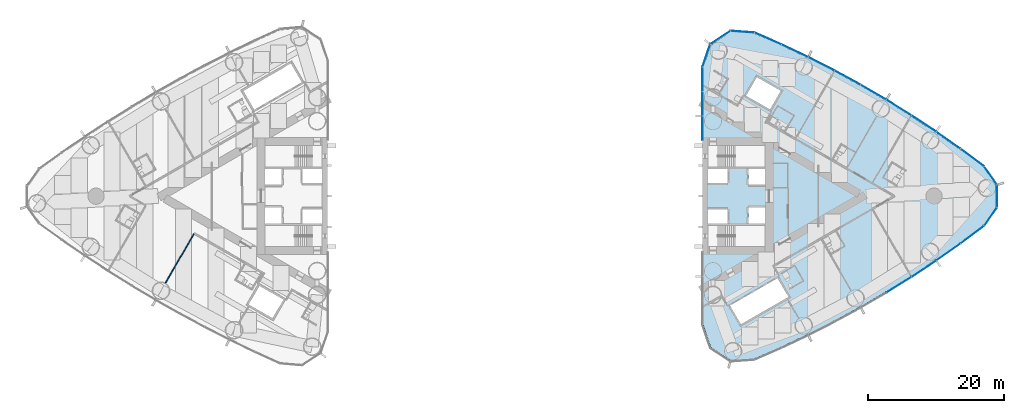
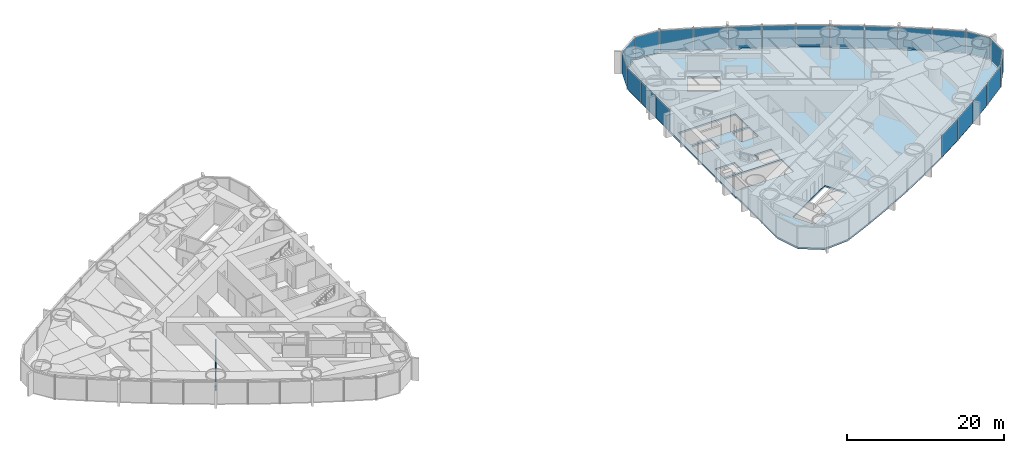
# One storey, part 10 of 19: 22 plates, 1 slab, 1 wall, 1 element without a shape of its own.
"""IFC4 building model written with IfcOpenShell, lengths in metres."""

from ifc_helpers import new_model, si_unit, direction, frame, frame_2d, origin, origin_2d, place, context, subcontext, project, spatial, polyline, rectangle, outline, extrude, material, layer, layer_set, type_object, element, aggregate, save


model = new_model("IFC4")

# Units and contexts
model_context = context("Model", 3, precision=1e-05, world=origin(), true_north=direction((0.0, 1.0)))
body_context = subcontext(model_context, "Body", "Model", "MODEL_VIEW")
ifc_project = project(units=[si_unit("LENGTHUNIT", "METRE"), si_unit("AREAUNIT", "SQUARE_METRE"), si_unit("VOLUMEUNIT", "CUBIC_METRE"), si_unit("PLANEANGLEUNIT", "RADIAN"), si_unit("MASSUNIT", "GRAM", prefix="KILO")], contexts=[model_context])

# Site, building, storey
site_placement = place(None, origin())
site = spatial("IfcSite", under=ifc_project, at=site_placement, CompositionType="ELEMENT")
building_placement = place(site_placement, origin())
building = spatial("IfcBuilding", under=site, at=building_placement, Name="Lancet Gate Hotel", CompositionType="ELEMENT")
storey_placement = place(building_placement, frame((0.0, 0.0, 132.60009765625)))
storey = spatial("IfcBuildingStorey", under=building, at=storey_placement, Name="L35", CompositionType="ELEMENT", Elevation=132.60009765625)

# Slab
ifc_material_1 = material(Name="Concrete C50/60", Category="concrete")
ifc_layer_1 = layer(ifc_material_1, 0.25)
ifc_layer_set_1 = layer_set([ifc_layer_1], Name="Floor slab 250")
slab_type = type_object("IfcSlabType", Name="Floor slab 250", PredefinedType="FLOOR", material=ifc_layer_set_1)
slab_placement = place(storey_placement, frame((0.0, 0.0, -0.25)))
element("IfcSlab", 1, at=slab_placement, inside=storey, type_object=slab_type, Name="T2 L35 floor slab", PredefinedType="FLOOR", context=body_context, shape_type="SweptSolid", body=[
    extrude(outline(polyline([(27.5, -8.60009765625), (27.6201171875, -8.60009765625), (27.6201171875, -18.923095703125), (28.7451171875, -22.22412109375), (31.63427734375, -24.1396484375), (35.112060546875, -23.890869140625), (39.0712890625, -22.150634765625), (42.996826171875, -20.29052734375), (46.867919921875, -18.31982421875), (50.681640625, -16.23974609375), (54.4345703125, -14.052490234375), (58.123779296875, -11.75927734375), (61.74658203125, -9.362548828125), (65.2998046875, -6.863525390625), (68.7666015625, -4.275390625), (70.627197265625, -1.6142578125), (70.627197265625, 1.6142578125), (68.7666015625, 4.275390625), (65.2998046875, 6.863525390625), (61.74658203125, 9.362548828125), (58.123779296875, 11.75927734375), (54.4345703125, 14.052490234375), (50.681640625, 16.23974609375), (46.867919921875, 18.31982421875), (42.996826171875, 20.29052734375), (39.0712890625, 22.150634765625), (35.112060546875, 23.890869140625), (31.63427734375, 24.1396484375), (28.7451171875, 22.22412109375), (27.6201171875, 18.923095703125), (27.6201171875, 8.60009765625), (27.5, 8.60009765625), (27.5, 8.199951171875), (27.5, -8.199951171875), (27.5, -8.60009765625)]), holes=[polyline([(36.699951171875, -7.39990234375), (36.699951171875, -4.300048828125), (28.300048828125, -4.300048828125), (28.300048828125, -7.39990234375), (36.699951171875, -7.39990234375)]), polyline([(28.300048828125, -4.0), (31.199951171875, -4.0), (31.199951171875, -1.89990234375), (28.300048828125, -1.89990234375), (28.300048828125, -4.0)]), polyline([(34.25, -4.0), (36.699951171875, -4.0), (36.699951171875, -1.64990234375), (34.25, -1.64990234375), (34.25, -4.0)]), polyline([(36.699951171875, 1.64990234375), (36.699951171875, 4.0), (34.25, 4.0), (34.25, 1.64990234375), (36.699951171875, 1.64990234375)]), polyline([(28.300048828125, 1.89990234375), (31.199951171875, 1.89990234375), (31.199951171875, 4.0), (28.300048828125, 4.0), (28.300048828125, 1.89990234375)]), polyline([(28.300048828125, 4.300048828125), (36.699951171875, 4.300048828125), (36.699951171875, 7.39990234375), (28.300048828125, 7.39990234375), (28.300048828125, 4.300048828125)]), polyline([(31.549072265625, -16.0810546875), (33.14892578125, -18.85205078125), (40.1640625, -14.802001953125), (38.56396484375, -12.031005859375), (31.549072265625, -16.0810546875)]), polyline([(33.887939453125, 14.73095703125), (37.43798828125, 12.680908203125), (39.0380859375, 15.451904296875), (35.488037109375, 17.501953125), (33.887939453125, 14.73095703125)])]), origin(), (0.0, 0.0, 1.0), 0.25),
])

# Curtain wall, plates
ifc_material_2 = material(Name="Aluminium curtain wall", Category="aluminium")
curtain_wall_type = type_object("IfcCurtainWallType", Name="Tower unitised curtain wall", PredefinedType="USERDEFINED", material=ifc_material_2)
curtain_wall_placement = place(storey_placement, origin())
curtain_wall = element("IfcCurtainWall", 2, at=curtain_wall_placement, inside=storey, type_object=curtain_wall_type, Name="T2 L35 curtain wall 1", ObjectType="UNITISED CURTAIN WALL", PredefinedType="USERDEFINED")
ifc_material_3 = material(Name="Glass double glazed unit 8-16-6", Category="glass")
ifc_layer_2 = layer(ifc_material_3, 0.030029296875)
ifc_layer_set_2 = layer_set([ifc_layer_2], Name="Vision panel double glazed")
plate_type = type_object("IfcPlateType", Name="Vision panel double glazed", PredefinedType="CURTAIN_PANEL", material=ifc_layer_set_2)
plate_1_placement = place(storey_placement, frame((56.342529296875, -13.0078125, -0.000244140625), z_axis=(0.0, 0.0, 1.0), x_axis=(0.849317759497, 0.527881940781, 0.0)))
plate_1 = element("IfcPlate", 3, at=plate_1_placement, type_object=plate_type, Name="T2 L35 curtain wall 1 panel 12", PredefinedType="CURTAIN_PANEL", context=body_context, shape_type="SweptSolid", body=[
    extrude(rectangle(XDim=4.2822265625, YDim=0.030029296875, at=origin_2d()), origin(), (0.0, 0.0, 1.0), 3.35009765625),
])
plate_2_placement = place(storey_placement, frame((60.00146484375, -10.660888671875, -0.000244140625), z_axis=(0.0, 0.0, 1.0), x_axis=(0.83398495346, 0.551787184885, 0.0)))
plate_2 = element("IfcPlate", 4, at=plate_2_placement, type_object=plate_type, Name="T2 L35 curtain wall 1 panel 13", PredefinedType="CURTAIN_PANEL", context=body_context, shape_type="SweptSolid", body=[
    extrude(rectangle(XDim=4.2822265625, YDim=0.030029296875, at=origin_2d()), origin(), (0.0, 0.0, 1.0), 3.35009765625),
])
plate_3_placement = place(storey_placement, frame((63.59228515625, -8.211181640625, -0.000244140625), z_axis=(0.0, 0.0, 1.0), x_axis=(0.817979492167, 0.57524738191, 0.0)))
plate_3 = element("IfcPlate", 5, at=plate_3_placement, type_object=plate_type, Name="T2 L35 curtain wall 1 panel 14", PredefinedType="CURTAIN_PANEL", context=body_context, shape_type="SweptSolid", body=[
    extrude(rectangle(XDim=4.2822265625, YDim=0.030029296875, at=origin_2d()), origin(), (0.0, 0.0, 1.0), 3.35009765625),
])
plate_4_placement = place(storey_placement, frame((67.112060546875, -5.660400390625, -0.000244140625), z_axis=(0.0, 0.0, 1.0), x_axis=(0.801314284905, 0.598243609917, 0.0)))
plate_4 = element("IfcPlate", 6, at=plate_4_placement, type_object=plate_type, Name="T2 L35 curtain wall 1 panel 15", PredefinedType="CURTAIN_PANEL", context=body_context, shape_type="SweptSolid", body=[
    extrude(rectangle(XDim=4.2822265625, YDim=0.030029296875, at=origin_2d()), origin(), (0.0, 0.0, 1.0), 3.35009765625),
])
plate_5_placement = place(storey_placement, frame((69.800537109375, -3.006103515625, -0.000244140625), z_axis=(0.0, 0.0, 1.0), x_axis=(0.573025075425, 0.819537834962, 0.0)))
plate_5 = element("IfcPlate", 7, at=plate_5_placement, type_object=plate_type, Name="T2 L35 curtain wall 1 panel 16", PredefinedType="CURTAIN_PANEL", context=body_context, shape_type="SweptSolid", body=[
    extrude(rectangle(XDim=3.2392578125, YDim=0.030029296875, at=origin_2d()), origin(), (0.0, 0.0, 1.0), 3.35009765625),
])
plate_6_placement = place(storey_placement, frame((70.747314453125, 0.0, -0.000244140625), z_axis=(0.0, 0.0, 1.0), x_axis=(0.0, 1.0, 0.0)))
plate_6 = element("IfcPlate", 8, at=plate_6_placement, type_object=plate_type, Name="T2 L35 curtain wall 1 panel 17", PredefinedType="CURTAIN_PANEL", context=body_context, shape_type="SweptSolid", body=[
    extrude(rectangle(XDim=3.2392578125, YDim=0.030029296875, at=origin_2d()), origin(), (0.0, 0.0, 1.0), 3.35009765625),
])
plate_7_placement = place(storey_placement, frame((69.800537109375, 3.006103515625, -0.000244140625), z_axis=(0.0, 0.0, 1.0), x_axis=(-0.573025075425, 0.819537834962, 0.0)))
plate_7 = element("IfcPlate", 9, at=plate_7_placement, type_object=plate_type, Name="T2 L35 curtain wall 1 panel 18", PredefinedType="CURTAIN_PANEL", context=body_context, shape_type="SweptSolid", body=[
    extrude(rectangle(XDim=3.2392578125, YDim=0.030029296875, at=origin_2d()), origin(), (0.0, 0.0, 1.0), 3.35009765625),
])
plate_8_placement = place(storey_placement, frame((67.112060546875, 5.660400390625, -0.000244140625), z_axis=(0.0, 0.0, 1.0), x_axis=(-0.801314284905, 0.598243609917, 0.0)))
plate_8 = element("IfcPlate", 10, at=plate_8_placement, type_object=plate_type, Name="T2 L35 curtain wall 1 panel 19", PredefinedType="CURTAIN_PANEL", context=body_context, shape_type="SweptSolid", body=[
    extrude(rectangle(XDim=4.2822265625, YDim=0.030029296875, at=origin_2d()), origin(), (0.0, 0.0, 1.0), 3.35009765625),
])
plate_9_placement = place(storey_placement, frame((63.59228515625, 8.211181640625, -0.000244140625), z_axis=(0.0, 0.0, 1.0), x_axis=(-0.817979492167, 0.57524738191, 0.0)))
plate_9 = element("IfcPlate", 11, at=plate_9_placement, type_object=plate_type, Name="T2 L35 curtain wall 1 panel 20", PredefinedType="CURTAIN_PANEL", context=body_context, shape_type="SweptSolid", body=[
    extrude(rectangle(XDim=4.2822265625, YDim=0.030029296875, at=origin_2d()), origin(), (0.0, 0.0, 1.0), 3.35009765625),
])
plate_10_placement = place(storey_placement, frame((60.00146484375, 10.660888671875, -0.000244140625), z_axis=(0.0, 0.0, 1.0), x_axis=(-0.83398495346, 0.551787184885, 0.0)))
plate_10 = element("IfcPlate", 12, at=plate_10_placement, type_object=plate_type, Name="T2 L35 curtain wall 1 panel 21", PredefinedType="CURTAIN_PANEL", context=body_context, shape_type="SweptSolid", body=[
    extrude(rectangle(XDim=4.2822265625, YDim=0.030029296875, at=origin_2d()), origin(), (0.0, 0.0, 1.0), 3.35009765625),
])
plate_11_placement = place(storey_placement, frame((56.342529296875, 13.0078125, -0.000244140625), z_axis=(0.0, 0.0, 1.0), x_axis=(-0.849317759497, 0.527881940781, 0.0)))
plate_11 = element("IfcPlate", 13, at=plate_11_placement, type_object=plate_type, Name="T2 L35 curtain wall 1 panel 22", PredefinedType="CURTAIN_PANEL", context=body_context, shape_type="SweptSolid", body=[
    extrude(rectangle(XDim=4.2822265625, YDim=0.030029296875, at=origin_2d()), origin(), (0.0, 0.0, 1.0), 3.35009765625),
])
plate_12_placement = place(storey_placement, frame((52.618408203125, 15.249755859375, -0.000244140625), z_axis=(0.0, 0.0, 1.0), x_axis=(-0.863965543499, 0.503550930538, 0.0)))
plate_12 = element("IfcPlate", 14, at=plate_12_placement, type_object=plate_type, Name="T2 L35 curtain wall 1 panel 23", PredefinedType="CURTAIN_PANEL", context=body_context, shape_type="SweptSolid", body=[
    extrude(rectangle(XDim=4.2822265625, YDim=0.030029296875, at=origin_2d()), origin(), (0.0, 0.0, 1.0), 3.35009765625),
])
plate_13_placement = place(storey_placement, frame((48.832275390625, 17.38525390625, -0.000244140625), z_axis=(0.0, 0.0, 1.0), x_axis=(-0.877916491224, 0.478813778454, 0.0)))
plate_13 = element("IfcPlate", 15, at=plate_13_placement, type_object=plate_type, Name="T2 L35 curtain wall 1 panel 24", PredefinedType="CURTAIN_PANEL", context=body_context, shape_type="SweptSolid", body=[
    extrude(rectangle(XDim=4.2822265625, YDim=0.030029296875, at=origin_2d()), origin(), (0.0, 0.0, 1.0), 3.35009765625),
])
plate_14_placement = place(storey_placement, frame((44.98681640625, 19.412109375, -0.000244140625), z_axis=(0.0, 0.0, 1.0), x_axis=(-0.891159350462, 0.453690436403, 0.0)))
plate_14 = element("IfcPlate", 16, at=plate_14_placement, type_object=plate_type, Name="T2 L35 curtain wall 1 panel 25", PredefinedType="CURTAIN_PANEL", context=body_context, shape_type="SweptSolid", body=[
    extrude(rectangle(XDim=4.2822265625, YDim=0.030029296875, at=origin_2d()), origin(), (0.0, 0.0, 1.0), 3.35009765625),
])
plate_15_placement = place(storey_placement, frame((41.08544921875, 21.3291015625, -0.000244140625), z_axis=(0.0, 0.0, 1.0), x_axis=(-0.903683440096, 0.428201167789, 0.0)))
plate_15 = element("IfcPlate", 17, at=plate_15_placement, type_object=plate_type, Name="T2 L35 curtain wall 1 panel 26", PredefinedType="CURTAIN_PANEL", context=body_context, shape_type="SweptSolid", body=[
    extrude(rectangle(XDim=4.2822265625, YDim=0.030029296875, at=origin_2d()), origin(), (0.0, 0.0, 1.0), 3.35009765625),
])
plate_16_placement = place(storey_placement, frame((37.13134765625, 23.13427734375, -0.000244140625), z_axis=(0.0, 0.0, 1.0), x_axis=(-0.915478658759, 0.40236653111, 0.0)))
plate_16 = element("IfcPlate", 18, at=plate_16_placement, type_object=plate_type, Name="T2 L35 curtain wall 1 panel 27", PredefinedType="CURTAIN_PANEL", context=body_context, shape_type="SweptSolid", body=[
    extrude(rectangle(XDim=4.2822265625, YDim=0.030029296875, at=origin_2d()), origin(), (0.0, 0.0, 1.0), 3.35009765625),
])
plate_17_placement = place(storey_placement, frame((33.37158203125, 24.1357421875, -0.000244140625), z_axis=(0.0, 0.0, 1.0), x_axis=(-0.997448492935, 0.07138980278, 0.0)))
plate_17 = element("IfcPlate", 19, at=plate_17_placement, type_object=plate_type, Name="T2 L35 curtain wall 1 panel 28", PredefinedType="CURTAIN_PANEL", context=body_context, shape_type="SweptSolid", body=[
    extrude(rectangle(XDim=3.4833984375, YDim=0.030029296875, at=origin_2d()), origin(), (0.0, 0.0, 1.0), 3.35009765625),
])
plate_18_placement = place(storey_placement, frame((30.123291015625, 23.281982421875, -0.000244140625), z_axis=(0.0, 0.0, 1.0), x_axis=(-0.833464516611, -0.552572981198, 0.0)))
plate_18 = element("IfcPlate", 20, at=plate_18_placement, type_object=plate_type, Name="T2 L35 curtain wall 1 panel 29", PredefinedType="CURTAIN_PANEL", context=body_context, shape_type="SweptSolid", body=[
    extrude(rectangle(XDim=3.4833984375, YDim=0.030029296875, at=origin_2d()), origin(), (0.0, 0.0, 1.0), 3.35009765625),
])
plate_19_placement = place(storey_placement, frame((28.072265625, 20.622314453125, -0.000244140625), z_axis=(0.0, 0.0, 1.0), x_axis=(-0.32257568891, -0.946543673015, 0.0)))
plate_19 = element("IfcPlate", 21, at=plate_19_placement, type_object=plate_type, Name="T2 L35 curtain wall 1 panel 30", PredefinedType="CURTAIN_PANEL", context=body_context, shape_type="SweptSolid", body=[
    extrude(rectangle(XDim=3.4833984375, YDim=0.030029296875, at=origin_2d()), origin(), (0.0, 0.0, 1.0), 3.35009765625),
])
plate_20_placement = place(storey_placement, frame((27.5, 17.15234375, -0.000244140625), z_axis=(0.0, 0.0, 1.0), x_axis=(0.0, -1.0, 0.0)))
plate_20 = element("IfcPlate", 22, at=plate_20_placement, type_object=plate_type, Name="T2 L35 curtain wall 1 panel 31", PredefinedType="CURTAIN_PANEL", context=body_context, shape_type="SweptSolid", body=[
    extrude(rectangle(XDim=3.515869140625, YDim=0.030029296875, at=origin_2d()), origin(), (0.0, 0.0, 1.0), 3.35009765625),
])
plate_21_placement = place(storey_placement, frame((27.5, 13.571533203125, -0.000244140625), z_axis=(0.0, 0.0, 1.0), x_axis=(0.0, -1.0, 0.0)))
plate_21 = element("IfcPlate", 23, at=plate_21_placement, type_object=plate_type, Name="T2 L35 curtain wall 1 panel 32", PredefinedType="CURTAIN_PANEL", context=body_context, shape_type="SweptSolid", body=[
    extrude(rectangle(XDim=3.515869140625, YDim=0.030029296875, at=origin_2d()), origin(), (0.0, 0.0, 1.0), 3.35009765625),
])
plate_22_placement = place(storey_placement, frame((27.5, 9.990478515625, -0.000244140625), z_axis=(0.0, 0.0, 1.0), x_axis=(0.0, -1.0, 0.0)))
plate_22 = element("IfcPlate", 24, at=plate_22_placement, type_object=plate_type, Name="T2 L35 curtain wall 1 panel 33", PredefinedType="CURTAIN_PANEL", context=body_context, shape_type="SweptSolid", body=[
    extrude(rectangle(XDim=3.515869140625, YDim=0.030029296875, at=origin_2d()), origin(), (0.0, 0.0, 1.0), 3.35009765625),
])
aggregate(curtain_wall, [plate_1, plate_2, plate_3, plate_4, plate_5, plate_6, plate_7, plate_8, plate_9, plate_10, plate_11, plate_12, plate_13, plate_14, plate_15, plate_16, plate_17, plate_18, plate_19, plate_20, plate_21, plate_22])

# Wall
ifc_material_4 = material(Name="Gypsum board partition")
ifc_layer_3 = layer(ifc_material_4, 0.14990234375)
ifc_layer_set_3 = layer_set([ifc_layer_3], Name="Party wall 150")
wall_type = type_object("IfcWallType", Name="Party wall 150", PredefinedType="PARTITIONING", material=ifc_layer_set_3)
wall_placement = place(storey_placement, frame((-47.151123046875, -5.552490234375, 0.0), z_axis=(0.0, 0.0, 1.0), x_axis=(-0.500003012045, -0.866023664773, 0.0)))
element("IfcWall", 25, at=wall_placement, inside=storey, type_object=wall_type, Name="T1 party wall 150 L35", PredefinedType="PARTITIONING", context=body_context, shape_type="SweptSolid", body=[
    extrude(rectangle(XDim=8.31103515625, YDim=0.14990234375, at=frame_2d((4.155517578125, 0.0))), origin(), (0.0, 0.0, 1.0), 2.199951171875),
])

save(model, "model.ifc")
